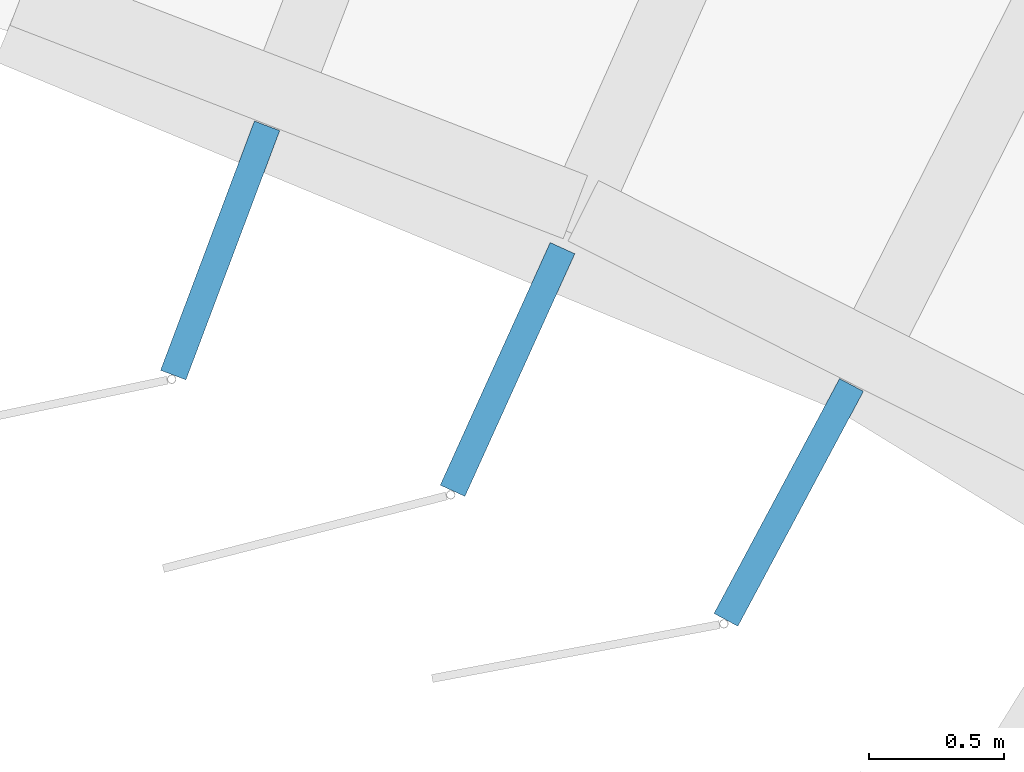
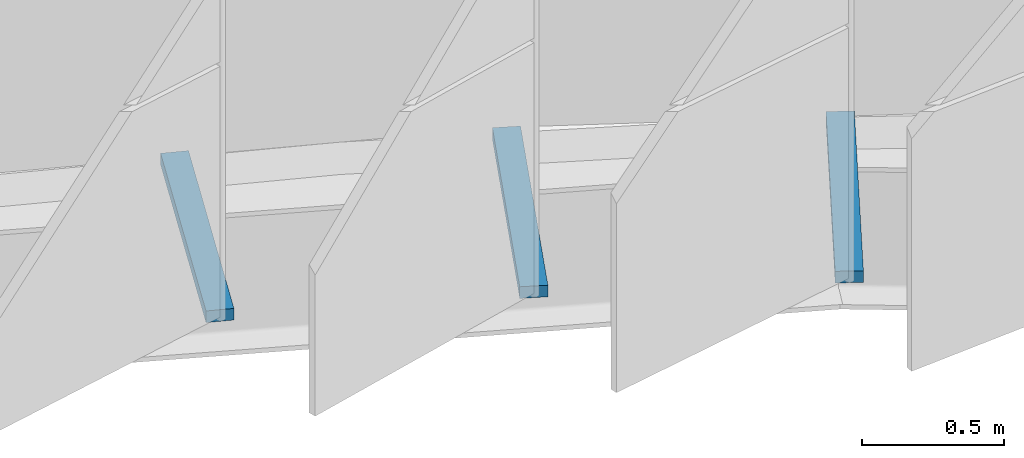
# One storey, part 127 of 214: 3 discrete accessories.
"""IFC4 building model written with IfcOpenShell, lengths in metres."""

from ifc_helpers import new_model, si_unit, direction, frame, origin, origin_2d, place, context, subcontext, project, spatial, rectangle, extrude, material, type_object, element, save


model = new_model("IFC4")

# Units and contexts
model_context = context("Model", 3, precision=1e-05, world=origin(), true_north=direction((0.0, 1.0)))
body_context = subcontext(model_context, "Body", "Model", "MODEL_VIEW")
ifc_project = project(units=[si_unit("LENGTHUNIT", "METRE"), si_unit("AREAUNIT", "SQUARE_METRE"), si_unit("VOLUMEUNIT", "CUBIC_METRE"), si_unit("PLANEANGLEUNIT", "RADIAN"), si_unit("MASSUNIT", "GRAM", prefix="KILO")], contexts=[model_context])

# Site, building, storey
site_placement = place(None, origin())
site = spatial("IfcSite", under=ifc_project, at=site_placement, CompositionType="ELEMENT")
building_placement = place(site_placement, origin())
building = spatial("IfcBuilding", under=site, at=building_placement, Name="Parallax Yard Mobility Hub", CompositionType="ELEMENT")
storey_placement = place(building_placement, frame((0.0, 0.0, 3.300048828125)))
storey = spatial("IfcBuildingStorey", under=building, at=storey_placement, Name="L01", CompositionType="ELEMENT", Elevation=3.300048828125)

# Discrete accessories
ifc_material = material(Name="Steel ASTM A36, hot-dip galvanised", Category="steel")
discrete_accessory_type = type_object("IfcDiscreteAccessoryType", Name="Hinge bracket plate 100x50", PredefinedType="BRACKET", material=ifc_material)
for number, where, z_axis, x_axis, name in (
    (1, (180.384033203125, 110.535400390625, -0.02490234375), (0.0, 0.0, 1.0), (-0.352250047921, -0.935905926757, 0.0), "Hinge bracket plate bay 19.2 level L01"),
    (2, (181.44580078125, 110.095703125, -0.02490234375), (0.0, 0.0, 1.0), (-0.412707029804, -0.910863824921, 0.0), "Hinge bracket plate bay 19.3 level L01"),
    (3, (182.484619140625, 109.6044921875, -0.02490234375), (0.0, 0.0, 1.0), (-0.471396736826, -0.881921264348, 0.0), "Hinge bracket plate bay 19.4 level L01"),
):
    element("IfcDiscreteAccessory", number, at=place(storey_placement, frame(where, z_axis=z_axis, x_axis=x_axis)), inside=storey, type_object=discrete_accessory_type, Name=name, PredefinedType="BRACKET", context=body_context, shape_type="SweptSolid", body=[
        extrude(rectangle(XDim=0.984130859375, YDim=0.10009765625, at=origin_2d()), origin(), (0.0, 0.0, 1.0), 0.050048828125),
    ])

save(model, "model.ifc")
